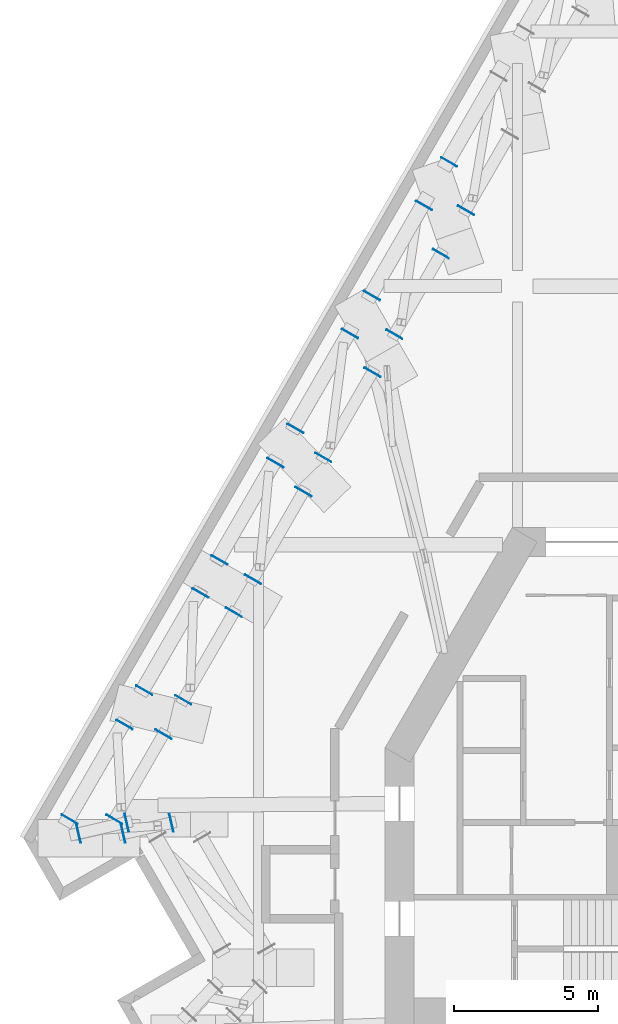
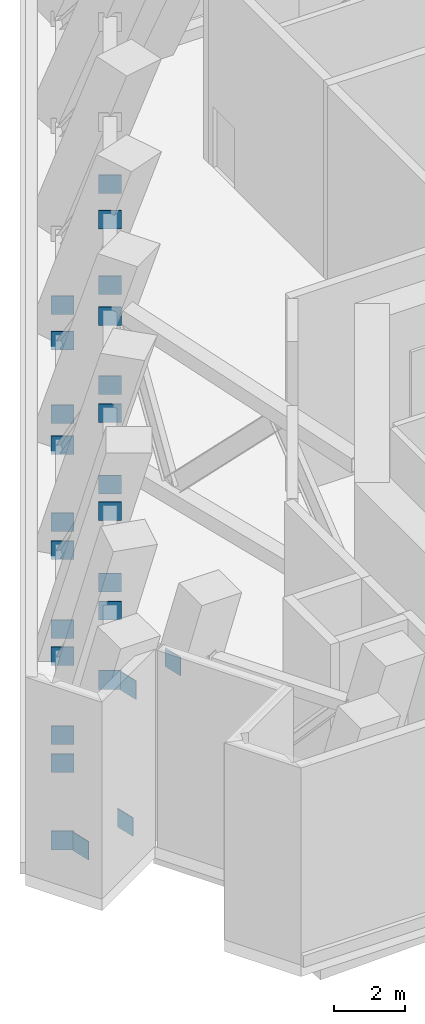
# One storey, part 10 of 13: 26 discrete accessories.
"""IFC4 building model written with IfcOpenShell, lengths in metres."""

from ifc_helpers import new_model, si_unit, direction, frame, origin, origin_2d, place, context, subcontext, project, spatial, rectangle, extrude, material, layer, layer_set, type_object, element, save


model = new_model("IFC4")

# Units and contexts
model_context = context("Model", 3, precision=1e-05, world=origin(), true_north=direction((0.0, 1.0)))
body_context = subcontext(model_context, "Body", "Model", "MODEL_VIEW")
ifc_project = project(units=[si_unit("LENGTHUNIT", "METRE"), si_unit("AREAUNIT", "SQUARE_METRE"), si_unit("VOLUMEUNIT", "CUBIC_METRE"), si_unit("PLANEANGLEUNIT", "RADIAN"), si_unit("MASSUNIT", "GRAM", prefix="KILO")], contexts=[model_context])

# Site, building, storey
site_placement = place(None, origin())
site = spatial("IfcSite", under=ifc_project, at=site_placement, CompositionType="ELEMENT")
building_placement = place(site_placement, origin())
building = spatial("IfcBuilding", under=site, at=building_placement, Name="Fogline Exchange Tower", CompositionType="ELEMENT")
storey_placement = place(building_placement, frame((0.0, 0.0, 259.5)))
storey = spatial("IfcBuildingStorey", under=building, at=storey_placement, Name="L59", CompositionType="ELEMENT", Elevation=259.5)

# Discrete accessories
ifc_material = material(Name="Steel Q355B", Category="steel")
ifc_layer = layer(ifc_material, 0.02490234375)
ifc_layer_set = layer_set([ifc_layer], Name="BE03")
discrete_accessory_type = type_object("IfcDiscreteAccessoryType", Name="BE03", PredefinedType="USERDEFINED", material=ifc_layer_set)
for number, where, z_axis, x_axis, name in (
    (1, (-24.259765625, 7.952880859375, -0.1201171875), (0.0, 0.0, 1.0), (-0.974742877599, -0.223330075383, 0.0), "Belt truss chord end plate BT1-1-BC"),
    (2, (-22.5859375, 8.33642578125, -0.1201171875), (0.0, 0.0, 1.0), (0.974742877599, 0.223330075383, 0.0), "Belt truss chord end plate BT1-1-BC"),
    (3, (-22.708251953125, 7.952880859375, 4.8798828125), (0.0, 0.0, 1.0), (-0.974742877599, -0.223330075383, 0.0), "Belt truss chord end plate BT1-1-TC"),
    (4, (-21.0341796875, 8.33642578125, 4.8798828125), (0.0, 0.0, 1.0), (0.974742877599, 0.223330075383, 0.0), "Belt truss chord end plate BT1-1-TC"),
    (5, (-11.372802734375, 31.315185546875, -0.1201171875), (0.0, 0.0, 1.0), (-0.5, -0.866025403784, 0.0), "Belt truss chord end plate BT21-1-BC"),
    (6, (-10.790771484375, 29.635498046875, 4.8798828125), (0.0, 0.0, 1.0), (-0.5, -0.866025403784, 0.0), "Belt truss chord end plate BT21-1-TC"),
    (7, (-12.2451171875, 29.80419921875, -0.1201171875), (0.0, 0.0, 1.0), (0.5, 0.866025403784, 0.0), "Belt truss chord end plate BT22-1-BC"),
    (8, (-14.05615234375, 26.66748046875, -0.1201171875), (0.0, 0.0, 1.0), (-0.5, -0.866025403784, 0.0), "Belt truss chord end plate BT22-1-BC"),
    (9, (-11.6630859375, 28.12451171875, 4.8798828125), (0.0, 0.0, 1.0), (0.5, 0.866025403784, 0.0), "Belt truss chord end plate BT22-1-TC"),
    (10, (-13.2802734375, 25.32373046875, 4.8798828125), (0.0, 0.0, 1.0), (-0.5, -0.866025403784, 0.0), "Belt truss chord end plate BT22-1-TC"),
    (11, (-14.819091796875, 25.345947265625, -0.1201171875), (0.0, 0.0, 1.0), (0.5, 0.866025403784, 0.0), "Belt truss chord end plate BT23-1-BC"),
    (12, (-16.7216796875, 22.05029296875, -0.1201171875), (0.0, 0.0, 1.0), (-0.5, -0.866025403784, 0.0), "Belt truss chord end plate BT23-1-BC"),
    (13, (-14.043212890625, 24.002197265625, 4.8798828125), (0.0, 0.0, 1.0), (0.5, 0.866025403784, 0.0), "Belt truss chord end plate BT23-1-TC"),
    (14, (-15.752197265625, 21.04248046875, 4.8798828125), (0.0, 0.0, 1.0), (-0.5, -0.866025403784, 0.0), "Belt truss chord end plate BT23-1-TC"),
    (15, (-17.410888671875, 20.856689453125, -0.1201171875), (0.0, 0.0, 1.0), (0.5, 0.866025403784, 0.0), "Belt truss chord end plate BT24-1-BC"),
    (16, (-19.364013671875, 17.47412109375, -0.1201171875), (0.0, 0.0, 1.0), (-0.5, -0.866025403784, 0.0), "Belt truss chord end plate BT24-1-BC"),
    (17, (-16.441162109375, 19.84912109375, 4.8798828125), (0.0, 0.0, 1.0), (0.5, 0.866025403784, 0.0), "Belt truss chord end plate BT24-1-TC"),
    (18, (-18.2001953125, 16.80224609375, 4.8798828125), (0.0, 0.0, 1.0), (-0.5, -0.866025403784, 0.0), "Belt truss chord end plate BT24-1-TC"),
    (19, (-20.0263671875, 16.32666015625, -0.1201171875), (0.0, 0.0, 1.0), (0.5, 0.866025403784, 0.0), "Belt truss chord end plate BT25-1-BC"),
    (20, (-21.979248046875, 12.944091796875, -0.1201171875), (0.0, 0.0, 1.0), (-0.5, -0.866025403784, 0.0), "Belt truss chord end plate BT25-1-BC"),
    (21, (-18.862548828125, 15.65478515625, 4.8798828125), (0.0, 0.0, 1.0), (0.5, 0.866025403784, 0.0), "Belt truss chord end plate BT25-1-TC"),
    (22, (-20.62158203125, 12.608154296875, 4.8798828125), (0.0, 0.0, 1.0), (-0.5, -0.866025403784, 0.0), "Belt truss chord end plate BT25-1-TC"),
    (23, (-22.66845703125, 11.75048828125, -0.1201171875), (0.0, 0.0, 1.0), (0.5, 0.866025403784, 0.0), "Belt truss chord end plate BT26-1-BC"),
    (24, (-24.571044921875, 8.455078125, -0.1201171875), (0.0, 0.0, 1.0), (-0.5, -0.866025403784, 0.0), "Belt truss chord end plate BT26-1-BC"),
    (25, (-21.310791015625, 11.414794921875, 4.8798828125), (0.0, 0.0, 1.0), (0.5, 0.866025403784, 0.0), "Belt truss chord end plate BT26-1-TC"),
    (26, (-23.019287109375, 8.455078125, 4.8798828125), (0.0, 0.0, 1.0), (-0.5, -0.866025403784, 0.0), "Belt truss chord end plate BT26-1-TC"),
):
    element("IfcDiscreteAccessory", number, at=place(storey_placement, frame(where, z_axis=z_axis, x_axis=x_axis)), inside=storey, type_object=discrete_accessory_type, Name=name, ObjectType="END PLATE", PredefinedType="USERDEFINED", context=body_context, shape_type="SweptSolid", body=[
        extrude(rectangle(XDim=0.02490234375, YDim=0.639892578125, at=origin_2d()), origin(), (0.0, 0.0, 1.0), 0.639892578125),
    ])

save(model, "model.ifc")
